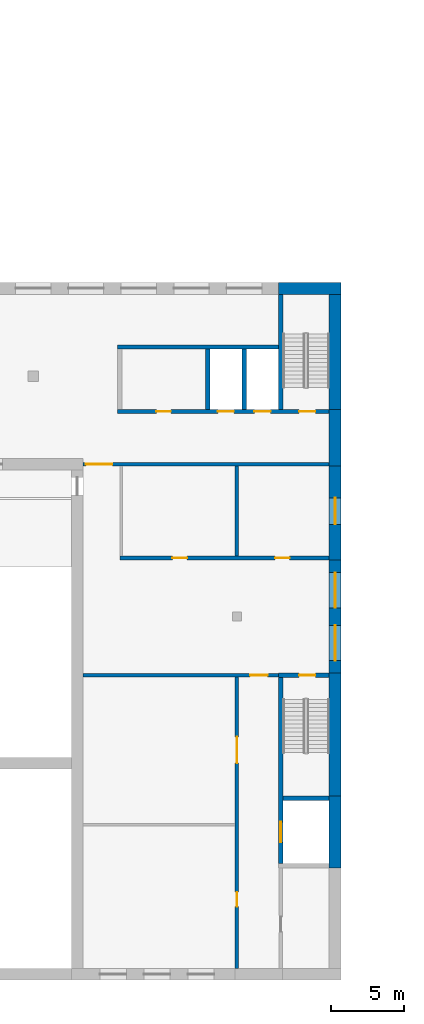
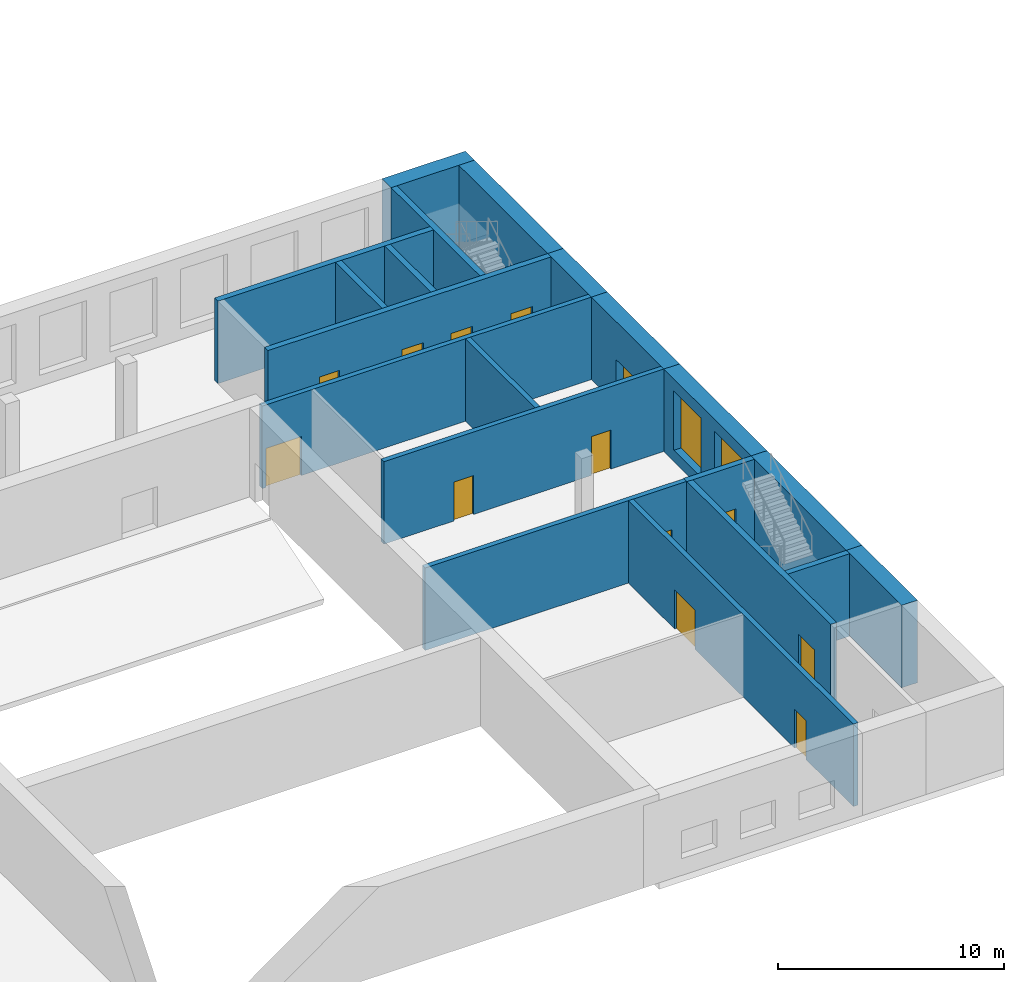
# One storey, part 5 of 24: 20 walls, 12 doors, 3 windows, 15 openings.
"""IFC4 building model written with IfcOpenShell, lengths in metres."""

from ifc_helpers import new_model, si_unit, direction, frame, frame_2d, origin, place, context, subcontext, project, spatial, rectangle, extrude, material, layer, layer_set, type_object, element, fill, save


model = new_model("IFC4")

# Units and contexts
model_context = context("Model", 3, precision=1e-05, world=origin(), true_north=direction((0.0, 1.0)))
body_context = subcontext(model_context, "Body", "Model", "MODEL_VIEW")
ifc_project = project(units=[si_unit("LENGTHUNIT", "METRE"), si_unit("AREAUNIT", "SQUARE_METRE"), si_unit("VOLUMEUNIT", "CUBIC_METRE"), si_unit("PLANEANGLEUNIT", "RADIAN"), si_unit("MASSUNIT", "GRAM", prefix="KILO")], contexts=[model_context])

# Site, building, storey
site_placement = place(None, origin())
site = spatial("IfcSite", under=ifc_project, at=site_placement, CompositionType="ELEMENT")
building_placement = place(site_placement, origin())
building = spatial("IfcBuilding", under=site, at=building_placement, Name="Kiln Ring Residences", CompositionType="ELEMENT")
storey_placement = place(building_placement, frame((0.0, 0.0, 11.300048828125)))
storey = spatial("IfcBuildingStorey", under=building, at=storey_placement, Name="L02", CompositionType="ELEMENT", Elevation=11.300048828125)

# Walls
ifc_material_1 = material(Name="Concrete C40/50", Category="concrete")
ifc_layer_1 = layer(ifc_material_1, 0.800048828125)
ifc_layer_set_1 = layer_set([ifc_layer_1], Name="Hall Exposed brick-faced reinforced concrete C40/50 wall 800")
wall_type_1 = type_object("IfcWallType", Name="Hall Exposed brick-faced reinforced concrete C40/50 wall 800", PredefinedType="SOLIDWALL", material=ifc_layer_set_1)
wall_1_placement = place(storey_placement, frame((25.75, -112.800048828125, 0.0), z_axis=(0.0, 0.0, 1.0), x_axis=(1.0, 0.0, 0.0)))
element("IfcWall", 1, at=wall_1_placement, inside=storey, type_object=wall_type_1, Name="Hall wall L02 28", PredefinedType="SOLIDWALL", context=body_context, shape_type="SweptSolid", body=[
    extrude(rectangle(XDim=4.25, YDim=0.800048828125, at=frame_2d((2.125, 0.0))), origin(), (0.0, 0.0, 1.0), 4.449951171875),
])
wall_2_placement = place(storey_placement, frame((29.60009765625, -147.4501953125, 0.0), z_axis=(0.0, 0.0, 1.0), x_axis=(0.0, -1.0, 0.0)))
element("IfcWall", 2, at=wall_2_placement, inside=storey, type_object=wall_type_1, Name="Hall wall L02 57", PredefinedType="SOLIDWALL", context=body_context, shape_type="SweptSolid", body=[
    extrude(rectangle(XDim=4.899658203125, YDim=0.800048828125, at=frame_2d((2.44970703125, 0.0))), origin(), (0.0, 0.0, 1.0), 4.449951171875),
])
wall_3_placement = place(storey_placement, frame((29.60009765625, -139.050048828125, 0.0), z_axis=(0.0, 0.0, 1.0), x_axis=(0.0, -1.0, 0.0)))
element("IfcWall", 3, at=wall_3_placement, inside=storey, type_object=wall_type_1, Name="Hall wall L02 58", PredefinedType="SOLIDWALL", context=body_context, shape_type="SweptSolid", body=[
    extrude(rectangle(XDim=8.699951171875, YDim=0.800048828125, at=frame_2d((4.35009765625, 0.0))), origin(), (0.0, 0.0, 1.0), 4.449951171875),
])

# Wall, openings, windows
wall_4_placement = place(storey_placement, frame((29.60009765625, -131.0751953125, 0.0), z_axis=(0.0, 0.0, 1.0), x_axis=(0.0, -1.0, 0.0)))
wall_4 = element("IfcWall", 4, at=wall_4_placement, inside=storey, type_object=wall_type_1, Name="Hall wall L02 59", PredefinedType="SOLIDWALL", context=body_context, shape_type="SweptSolid", body=[
    extrude(rectangle(XDim=8.274658203125, YDim=0.800048828125, at=frame_2d((4.13720703125, 0.0))), origin(), (0.0, 0.0, 1.0), 4.449951171875),
])
opening_1_placement = place(wall_4_placement, frame((4.724853515625, 0.0, 0.60009765625)))
opening_1 = element("IfcOpeningElement", 5, at=opening_1_placement, cuts=wall_4, Name="Opening WL02-17", PredefinedType="OPENING", context=body_context, shape_type="SweptSolid", body=[
    extrude(rectangle(XDim=2.39990234375, YDim=3.199951171875, at=frame_2d((1.199951171875, 1.60009765625))), frame((0.0, 0.409912109375, 0.0), z_axis=(0.0, -1.0, 0.0), x_axis=(1.0, 0.0, 0.0)), (0.0, 0.0, 1.0), 0.820068359375),
])
opening_2_placement = place(wall_4_placement, frame((1.125, 0.0, 0.60009765625)))
opening_2 = element("IfcOpeningElement", 6, at=opening_2_placement, cuts=wall_4, Name="Opening WL02-18", PredefinedType="OPENING", context=body_context, shape_type="SweptSolid", body=[
    extrude(rectangle(XDim=2.39990234375, YDim=3.199951171875, at=frame_2d((1.199951171875, 1.60009765625))), frame((0.0, 0.409912109375, 0.0), z_axis=(0.0, -1.0, 0.0), x_axis=(1.0, 0.0, 0.0)), (0.0, 0.0, 1.0), 0.820068359375),
])
ifc_material_2 = material(Name="Glazing in aluminium frame", Category="aluminium")
window_type_1 = type_object("IfcWindowType", Name="Hall foyer window 2400 x 3200", PartitioningType="SINGLE_PANEL", PredefinedType="WINDOW", material=ifc_material_2)
window_1_placement = place(opening_1_placement, origin())
window_1 = element("IfcWindow", 7, at=window_1_placement, inside=storey, type_object=window_type_1, Name="Hall window L02-17", OverallHeight=3.199951171875, OverallWidth=2.39990234375, PartitioningType="SINGLE_PANEL", PredefinedType="WINDOW", context=body_context, shape_type="SweptSolid", body=[
    extrude(rectangle(XDim=2.39990234375, YDim=3.199951171875, at=frame_2d((1.199951171875, 1.60009765625))), frame((0.0, 0.030029296875, 0.0), z_axis=(0.0, -1.0, 0.0), x_axis=(1.0, 0.0, 0.0)), (0.0, 0.0, 1.0), 0.06005859375),
])
fill(opening_1, window_1)
window_2_placement = place(opening_2_placement, origin())
window_2 = element("IfcWindow", 8, at=window_2_placement, inside=storey, type_object=window_type_1, Name="Hall window L02-18", OverallHeight=3.199951171875, OverallWidth=2.39990234375, PartitioningType="SINGLE_PANEL", PredefinedType="WINDOW", context=body_context, shape_type="SweptSolid", body=[
    extrude(rectangle(XDim=2.39990234375, YDim=3.199951171875, at=frame_2d((1.199951171875, 1.60009765625))), frame((0.0, 0.030029296875, 0.0), z_axis=(0.0, -1.0, 0.0), x_axis=(1.0, 0.0, 0.0)), (0.0, 0.0, 1.0), 0.06005859375),
])
fill(opening_2, window_2)

# Wall, opening, window
wall_5_placement = place(storey_placement, frame((29.60009765625, -124.675048828125, 0.0), z_axis=(0.0, 0.0, 1.0), x_axis=(0.0, -1.0, 0.0)))
wall_5 = element("IfcWall", 9, at=wall_5_placement, inside=storey, type_object=wall_type_1, Name="Hall wall L02 60", PredefinedType="SOLIDWALL", context=body_context, shape_type="SweptSolid", body=[
    extrude(rectangle(XDim=6.64990234375, YDim=0.800048828125, at=frame_2d((3.324951171875, 0.0))), origin(), (0.0, 0.0, 1.0), 4.449951171875),
])
opening_3_placement = place(wall_5_placement, frame((2.4248046875, 0.0, 0.89990234375)))
opening_3 = element("IfcOpeningElement", 10, at=opening_3_placement, cuts=wall_5, Name="Opening WL02-19", PredefinedType="OPENING", context=body_context, shape_type="SweptSolid", body=[
    extrude(rectangle(XDim=1.800048828125, YDim=1.5, at=frame_2d((0.89990234375, 0.75))), frame((0.0, 0.409912109375, 0.0), z_axis=(0.0, -1.0, 0.0), x_axis=(1.0, 0.0, 0.0)), (0.0, 0.0, 1.0), 0.820068359375),
])
ifc_material_3 = material(Name="Glazing in aluminium frame", Category="aluminium")
window_type_2 = type_object("IfcWindowType", Name="Hall room window 1800 x 1500", PartitioningType="DOUBLE_PANEL_VERTICAL", PredefinedType="WINDOW", material=ifc_material_3)
window_3_placement = place(opening_3_placement, origin())
window_3 = element("IfcWindow", 11, at=window_3_placement, inside=storey, type_object=window_type_2, Name="Hall window L02-19", OverallHeight=1.5, OverallWidth=1.800048828125, PartitioningType="SINGLE_PANEL", PredefinedType="WINDOW", context=body_context, shape_type="SweptSolid", body=[
    extrude(rectangle(XDim=1.800048828125, YDim=1.5, at=frame_2d((0.89990234375, 0.75))), frame((0.0, 0.030029296875, 0.0), z_axis=(0.0, -1.0, 0.0), x_axis=(1.0, 0.0, 0.0)), (0.0, 0.0, 1.0), 0.06005859375),
])
fill(opening_3, window_3)

# Walls
wall_6_placement = place(storey_placement, frame((29.60009765625, -121.050048828125, 0.0), z_axis=(0.0, 0.0, 1.0), x_axis=(0.0, -1.0, 0.0)))
element("IfcWall", 12, at=wall_6_placement, inside=storey, type_object=wall_type_1, Name="Hall wall L02 61", PredefinedType="SOLIDWALL", context=body_context, shape_type="SweptSolid", body=[
    extrude(rectangle(XDim=3.874755859375, YDim=0.800048828125, at=frame_2d((1.9375, 0.0))), origin(), (0.0, 0.0, 1.0), 4.449951171875),
])
wall_7_placement = place(storey_placement, frame((29.60009765625, -113.199951171875, 0.0), z_axis=(0.0, 0.0, 1.0), x_axis=(0.0, -1.0, 0.0)))
element("IfcWall", 13, at=wall_7_placement, inside=storey, type_object=wall_type_1, Name="Hall wall L02 62", PredefinedType="SOLIDWALL", context=body_context, shape_type="SweptSolid", body=[
    extrude(rectangle(XDim=8.14990234375, YDim=0.800048828125, at=frame_2d((4.074951171875, 0.0))), origin(), (0.0, 0.0, 1.0), 4.449951171875),
])
ifc_material_4 = material(Name="Concrete C40/50", Category="concrete")
ifc_layer_2 = layer(ifc_material_4, 0.300048828125)
ifc_layer_set_2 = layer_set([ifc_layer_2], Name="Hall Reinforced concrete C40/50 core wall 300")
wall_type_2 = type_object("IfcWallType", Name="Hall Reinforced concrete C40/50 core wall 300", PredefinedType="SOLIDWALL", material=ifc_layer_set_2)
wall_8_placement = place(storey_placement, frame((26.050048828125, -147.60009765625, 0.0), z_axis=(0.0, 0.0, 1.0), x_axis=(1.0, 0.0, 0.0)))
element("IfcWall", 14, at=wall_8_placement, inside=storey, type_object=wall_type_2, Name="Hall wall L02 11", PredefinedType="SOLIDWALL", context=body_context, shape_type="SweptSolid", body=[
    extrude(rectangle(XDim=3.14990234375, YDim=0.300048828125, at=frame_2d((1.574951171875, 0.0))), origin(), (0.0, 0.0, 1.0), 4.449951171875),
])

# Wall, opening, door
wall_9_placement = place(storey_placement, frame((25.75, -139.199951171875, 0.0), z_axis=(0.0, 0.0, 1.0), x_axis=(1.0, 0.0, 0.0)))
wall_9 = element("IfcWall", 15, at=wall_9_placement, inside=storey, type_object=wall_type_2, Name="Hall wall L02 16", PredefinedType="SOLIDWALL", context=body_context, shape_type="SweptSolid", body=[
    extrude(rectangle(XDim=3.449951171875, YDim=0.300048828125, at=frame_2d((1.72509765625, 0.0))), origin(), (0.0, 0.0, 1.0), 4.449951171875),
])
opening_4_placement = place(wall_9_placement, frame((1.39990234375, 0.0, 0.0)))
opening_4 = element("IfcOpeningElement", 16, at=opening_4_placement, cuts=wall_9, Name="Opening L02-09", PredefinedType="OPENING", context=body_context, shape_type="SweptSolid", body=[
    extrude(rectangle(XDim=1.10009765625, YDim=2.10009765625, at=frame_2d((0.550048828125, 1.050048828125))), frame((0.0, 0.159912109375, 0.0), z_axis=(0.0, -1.0, 0.0), x_axis=(1.0, 0.0, 0.0)), (0.0, 0.0, 1.0), 0.320068359375),
])
ifc_material_5 = material(Name="Steel door leaf", Category="steel")
door_type_1 = type_object("IfcDoorType", Name="Hall Stair door 1100 x 2100", OperationType="SINGLE_SWING_LEFT", PredefinedType="DOOR", material=ifc_material_5)
door_1_placement = place(opening_4_placement, origin())
door_1 = element("IfcDoor", 17, at=door_1_placement, inside=storey, type_object=door_type_1, Name="Hall door L02-09", OperationType="SINGLE_SWING_LEFT", OverallHeight=2.10009765625, OverallWidth=1.10009765625, PredefinedType="DOOR", context=body_context, shape_type="SweptSolid", body=[
    extrude(rectangle(XDim=1.10009765625, YDim=2.10009765625, at=frame_2d((0.550048828125, 1.050048828125))), frame((0.0, 0.02490234375, 0.0), z_axis=(0.0, -1.0, 0.0), x_axis=(1.0, 0.0, 0.0)), (0.0, 0.0, 1.0), 0.050048828125),
])
fill(opening_4, door_1)

# Wall, openings, doors
wall_10_placement = place(storey_placement, frame((14.75, -121.199951171875, 0.0), z_axis=(0.0, 0.0, 1.0), x_axis=(1.0, 0.0, 0.0)))
wall_10 = element("IfcWall", 18, at=wall_10_placement, inside=storey, type_object=wall_type_2, Name="Hall wall L02 23", PredefinedType="SOLIDWALL", context=body_context, shape_type="SweptSolid", body=[
    extrude(rectangle(XDim=14.449951171875, YDim=0.300048828125, at=frame_2d((7.22509765625, 0.0))), origin(), (0.0, 0.0, 1.0), 4.449951171875),
])
opening_5_placement = place(wall_10_placement, frame((6.85009765625, 0.0, 0.0)))
opening_5 = element("IfcOpeningElement", 19, at=opening_5_placement, cuts=wall_10, Name="Opening L02-03", PredefinedType="OPENING", context=body_context, shape_type="SweptSolid", body=[
    extrude(rectangle(XDim=1.10009765625, YDim=2.10009765625, at=frame_2d((0.550048828125, 1.050048828125))), frame((0.0, 0.159912109375, 0.0), z_axis=(0.0, -1.0, 0.0), x_axis=(1.0, 0.0, 0.0)), (0.0, 0.0, 1.0), 0.320068359375),
])
opening_6_placement = place(wall_10_placement, frame((9.35009765625, 0.0, 0.0)))
opening_6 = element("IfcOpeningElement", 20, at=opening_6_placement, cuts=wall_10, Name="Opening L02-04", PredefinedType="OPENING", context=body_context, shape_type="SweptSolid", body=[
    extrude(rectangle(XDim=1.10009765625, YDim=2.10009765625, at=frame_2d((0.550048828125, 1.050048828125))), frame((0.0, 0.159912109375, 0.0), z_axis=(0.0, -1.0, 0.0), x_axis=(1.0, 0.0, 0.0)), (0.0, 0.0, 1.0), 0.320068359375),
])
opening_7_placement = place(wall_10_placement, frame((12.39990234375, 0.0, 0.0)))
opening_7 = element("IfcOpeningElement", 21, at=opening_7_placement, cuts=wall_10, Name="Opening L02-07", PredefinedType="OPENING", context=body_context, shape_type="SweptSolid", body=[
    extrude(rectangle(XDim=1.10009765625, YDim=2.10009765625, at=frame_2d((0.550048828125, 1.050048828125))), frame((0.0, 0.159912109375, 0.0), z_axis=(0.0, -1.0, 0.0), x_axis=(1.0, 0.0, 0.0)), (0.0, 0.0, 1.0), 0.320068359375),
])
opening_8_placement = place(wall_10_placement, frame((2.64990234375, 0.0, 0.0)))
opening_8 = element("IfcOpeningElement", 22, at=opening_8_placement, cuts=wall_10, Name="Opening L02-11", PredefinedType="OPENING", context=body_context, shape_type="SweptSolid", body=[
    extrude(rectangle(XDim=1.0, YDim=2.10009765625, at=frame_2d((0.5, 1.050048828125))), frame((0.0, 0.159912109375, 0.0), z_axis=(0.0, -1.0, 0.0), x_axis=(1.0, 0.0, 0.0)), (0.0, 0.0, 1.0), 0.320068359375),
])
ifc_material_6 = material(Name="Steel door leaf", Category="steel")
door_type_2 = type_object("IfcDoorType", Name="Hall Lift landing door 1100 x 2100", OperationType="DOUBLE_DOOR_SLIDING", PredefinedType="DOOR", material=ifc_material_6)
door_2_placement = place(opening_5_placement, origin())
door_2 = element("IfcDoor", 23, at=door_2_placement, inside=storey, type_object=door_type_2, Name="Hall door L02-03", OperationType="DOUBLE_DOOR_SLIDING", OverallHeight=2.10009765625, OverallWidth=1.10009765625, PredefinedType="DOOR", context=body_context, shape_type="SweptSolid", body=[
    extrude(rectangle(XDim=1.10009765625, YDim=2.10009765625, at=frame_2d((0.550048828125, 1.050048828125))), frame((0.0, 0.02490234375, 0.0), z_axis=(0.0, -1.0, 0.0), x_axis=(1.0, 0.0, 0.0)), (0.0, 0.0, 1.0), 0.050048828125),
])
fill(opening_5, door_2)
door_3_placement = place(opening_6_placement, origin())
door_3 = element("IfcDoor", 24, at=door_3_placement, inside=storey, type_object=door_type_2, Name="Hall door L02-04", OperationType="DOUBLE_DOOR_SLIDING", OverallHeight=2.10009765625, OverallWidth=1.10009765625, PredefinedType="DOOR", context=body_context, shape_type="SweptSolid", body=[
    extrude(rectangle(XDim=1.10009765625, YDim=2.10009765625, at=frame_2d((0.550048828125, 1.050048828125))), frame((0.0, 0.02490234375, 0.0), z_axis=(0.0, -1.0, 0.0), x_axis=(1.0, 0.0, 0.0)), (0.0, 0.0, 1.0), 0.050048828125),
])
fill(opening_6, door_3)
ifc_material_7 = material(Name="Steel door leaf", Category="steel")
door_type_3 = type_object("IfcDoorType", Name="Hall Single door 1000 x 2100", OperationType="SINGLE_SWING_LEFT", PredefinedType="DOOR", material=ifc_material_7)
door_4_placement = place(opening_8_placement, origin())
door_4 = element("IfcDoor", 25, at=door_4_placement, inside=storey, type_object=door_type_3, Name="Hall door L02-11", OperationType="SINGLE_SWING_LEFT", OverallHeight=2.10009765625, OverallWidth=1.0, PredefinedType="DOOR", context=body_context, shape_type="SweptSolid", body=[
    extrude(rectangle(XDim=1.0, YDim=2.10009765625, at=frame_2d((0.5, 1.050048828125))), frame((0.0, 0.02490234375, 0.0), z_axis=(0.0, -1.0, 0.0), x_axis=(1.0, 0.0, 0.0)), (0.0, 0.0, 1.0), 0.050048828125),
])
fill(opening_8, door_4)
door_5_placement = place(opening_7_placement, origin())
door_5 = element("IfcDoor", 26, at=door_5_placement, inside=storey, type_object=door_type_1, Name="Hall door L02-07", OperationType="SINGLE_SWING_LEFT", OverallHeight=2.10009765625, OverallWidth=1.10009765625, PredefinedType="DOOR", context=body_context, shape_type="SweptSolid", body=[
    extrude(rectangle(XDim=1.10009765625, YDim=2.10009765625, at=frame_2d((0.550048828125, 1.050048828125))), frame((0.0, 0.02490234375, 0.0), z_axis=(0.0, -1.0, 0.0), x_axis=(1.0, 0.0, 0.0)), (0.0, 0.0, 1.0), 0.050048828125),
])
fill(opening_7, door_5)

# Walls
wall_11_placement = place(storey_placement, frame((14.75, -116.800048828125, 0.0), z_axis=(0.0, 0.0, 1.0), x_axis=(1.0, 0.0, 0.0)))
element("IfcWall", 27, at=wall_11_placement, inside=storey, type_object=wall_type_2, Name="Hall wall L02 25", PredefinedType="SOLIDWALL", context=body_context, shape_type="SweptSolid", body=[
    extrude(rectangle(XDim=11.0, YDim=0.300048828125, at=frame_2d((5.5, 0.0))), origin(), (0.0, 0.0, 1.0), 4.449951171875),
])
for number, where, z_axis, x_axis, name in (
    (28, (20.89990234375, -121.050048828125, 0.0), (0.0, 0.0, 1.0), (0.0, 1.0, 0.0), "Hall wall L02 49"),
    (29, (23.39990234375, -121.050048828125, 0.0), (0.0, 0.0, 1.0), (0.0, 1.0, 0.0), "Hall wall L02 52"),
):
    element("IfcWall", number, at=place(storey_placement, frame(where, z_axis=z_axis, x_axis=x_axis)), inside=storey, type_object=wall_type_2, Name=name, PredefinedType="SOLIDWALL", context=body_context, shape_type="SweptSolid", body=[
        extrude(rectangle(XDim=4.10009765625, YDim=0.300048828125, at=frame_2d((2.050048828125, 0.0))), origin(), (0.0, 0.0, 1.0), 4.449951171875),
    ])

# Wall, opening, door
wall_12_placement = place(storey_placement, frame((25.89990234375, -152.050048828125, 0.0), z_axis=(0.0, 0.0, 1.0), x_axis=(0.0, 1.0, 0.0)))
wall_12 = element("IfcWall", 30, at=wall_12_placement, inside=storey, type_object=wall_type_2, Name="Hall wall L02 54", PredefinedType="SOLIDWALL", context=body_context, shape_type="SweptSolid", body=[
    extrude(rectangle(XDim=12.824951171875, YDim=0.300048828125, at=frame_2d((6.41259765625, 0.0))), origin(), (0.0, 0.0, 1.0), 4.449951171875),
])
opening_9_placement = place(wall_12_placement, frame((1.449951171875, 0.0, 0.0)))
opening_9 = element("IfcOpeningElement", 31, at=opening_9_placement, cuts=wall_12, Name="Opening L02-05", PredefinedType="OPENING", context=body_context, shape_type="SweptSolid", body=[
    extrude(rectangle(XDim=1.39990234375, YDim=2.199951171875, at=frame_2d((0.699951171875, 1.10009765625))), frame((0.0, 0.159912109375, 0.0), z_axis=(0.0, -1.0, 0.0), x_axis=(1.0, 0.0, 0.0)), (0.0, 0.0, 1.0), 0.320068359375),
])
ifc_material_8 = material(Name="Steel door leaf", Category="steel")
door_type_4 = type_object("IfcDoorType", Name="Hall Goods lift landing door 1400 x 2200", OperationType="DOUBLE_DOOR_SLIDING", PredefinedType="DOOR", material=ifc_material_8)
door_6_placement = place(opening_9_placement, origin())
door_6 = element("IfcDoor", 32, at=door_6_placement, inside=storey, type_object=door_type_4, Name="Hall door L02-05", OperationType="DOUBLE_DOOR_SLIDING", OverallHeight=2.199951171875, OverallWidth=1.39990234375, PredefinedType="DOOR", context=body_context, shape_type="SweptSolid", body=[
    extrude(rectangle(XDim=1.39990234375, YDim=2.199951171875, at=frame_2d((0.699951171875, 1.10009765625))), frame((0.0, 0.02490234375, 0.0), z_axis=(0.0, -1.0, 0.0), x_axis=(1.0, 0.0, 0.0)), (0.0, 0.0, 1.0), 0.050048828125),
])
fill(opening_9, door_6)

# Wall
wall_13_placement = place(storey_placement, frame((25.89990234375, -121.050048828125, 0.0), z_axis=(0.0, 0.0, 1.0), x_axis=(0.0, 1.0, 0.0)))
element("IfcWall", 33, at=wall_13_placement, inside=storey, type_object=wall_type_2, Name="Hall wall L02 55", PredefinedType="SOLIDWALL", context=body_context, shape_type="SweptSolid", body=[
    extrude(rectangle(XDim=7.85009765625, YDim=0.300048828125, at=frame_2d((3.925048828125, 0.0))), origin(), (0.0, 0.0, 1.0), 4.449951171875),
])

# Wall, opening, door
ifc_material_9 = material(Name="Concrete C40/50", Category="concrete")
ifc_layer_3 = layer(ifc_material_9, 0.25)
ifc_layer_set_3 = layer_set([ifc_layer_3], Name="Hall Reinforced concrete C40/50 wall 250")
wall_type_3 = type_object("IfcWallType", Name="Hall Reinforced concrete C40/50 wall 250", PredefinedType="SOLIDWALL", material=ifc_layer_set_3)
wall_14_placement = place(storey_placement, frame((12.39990234375, -139.199951171875, 0.0), z_axis=(0.0, 0.0, 1.0), x_axis=(1.0, 0.0, 0.0)))
wall_14 = element("IfcWall", 34, at=wall_14_placement, inside=storey, type_object=wall_type_3, Name="Hall wall L02 15", PredefinedType="SOLIDWALL", context=body_context, shape_type="SweptSolid", body=[
    extrude(rectangle(XDim=13.35009765625, YDim=0.25, at=frame_2d((6.675048828125, 0.0))), origin(), (0.0, 0.0, 1.0), 4.449951171875),
])
opening_10_placement = place(wall_14_placement, frame((11.39990234375, 0.0, 0.0)))
opening_10 = element("IfcOpeningElement", 35, at=opening_10_placement, cuts=wall_14, Name="Opening L02-22", PredefinedType="OPENING", context=body_context, shape_type="SweptSolid", body=[
    extrude(rectangle(XDim=1.199951171875, YDim=2.10009765625, at=frame_2d((0.60009765625, 1.050048828125))), frame((0.0, 0.135009765625, 0.0), z_axis=(0.0, -1.0, 0.0), x_axis=(1.0, 0.0, 0.0)), (0.0, 0.0, 1.0), 0.27001953125),
])
ifc_material_10 = material(Name="Steel door leaf", Category="steel")
door_type_5 = type_object("IfcDoorType", Name="Hall Single door 1200 x 2100", OperationType="SINGLE_SWING_LEFT", PredefinedType="DOOR", material=ifc_material_10)
door_7_placement = place(opening_10_placement, origin())
door_7 = element("IfcDoor", 36, at=door_7_placement, inside=storey, type_object=door_type_5, Name="Hall door L02-22", OperationType="SINGLE_SWING_RIGHT", OverallHeight=2.10009765625, OverallWidth=1.199951171875, PredefinedType="DOOR", context=body_context, shape_type="SweptSolid", body=[
    extrude(rectangle(XDim=1.199951171875, YDim=2.10009765625, at=frame_2d((0.60009765625, 1.050048828125))), frame((0.0, 0.02490234375, 0.0), z_axis=(0.0, -1.0, 0.0), x_axis=(1.0, 0.0, 0.0)), (0.0, 0.0, 1.0), 0.050048828125),
])
fill(opening_10, door_7)

# Wall, openings, doors
wall_15_placement = place(storey_placement, frame((14.925048828125, -131.199951171875, 0.0), z_axis=(0.0, 0.0, 1.0), x_axis=(1.0, 0.0, 0.0)))
wall_15 = element("IfcWall", 37, at=wall_15_placement, inside=storey, type_object=wall_type_3, Name="Hall wall L02 18", PredefinedType="SOLIDWALL", context=body_context, shape_type="SweptSolid", body=[
    extrude(rectangle(XDim=14.27490234375, YDim=0.25, at=frame_2d((7.137451171875, 0.0))), origin(), (0.0, 0.0, 1.0), 4.449951171875),
])
opening_11_placement = place(wall_15_placement, frame((3.574951171875, 0.0, 0.0)))
opening_11 = element("IfcOpeningElement", 38, at=opening_11_placement, cuts=wall_15, Name="Opening L02-28", PredefinedType="OPENING", context=body_context, shape_type="SweptSolid", body=[
    extrude(rectangle(XDim=1.0, YDim=2.10009765625, at=frame_2d((0.5, 1.050048828125))), frame((0.0, 0.135009765625, 0.0), z_axis=(0.0, -1.0, 0.0), x_axis=(1.0, 0.0, 0.0)), (0.0, 0.0, 1.0), 0.27001953125),
])
opening_12_placement = place(wall_15_placement, frame((10.574951171875, 0.0, 0.0)))
opening_12 = element("IfcOpeningElement", 39, at=opening_12_placement, cuts=wall_15, Name="Opening L02-29", PredefinedType="OPENING", context=body_context, shape_type="SweptSolid", body=[
    extrude(rectangle(XDim=1.0, YDim=2.10009765625, at=frame_2d((0.5, 1.050048828125))), frame((0.0, 0.135009765625, 0.0), z_axis=(0.0, -1.0, 0.0), x_axis=(1.0, 0.0, 0.0)), (0.0, 0.0, 1.0), 0.27001953125),
])
door_8_placement = place(opening_11_placement, origin())
door_8 = element("IfcDoor", 40, at=door_8_placement, inside=storey, type_object=door_type_3, Name="Hall door L02-28", OperationType="SINGLE_SWING_RIGHT", OverallHeight=2.10009765625, OverallWidth=1.0, PredefinedType="DOOR", context=body_context, shape_type="SweptSolid", body=[
    extrude(rectangle(XDim=1.0, YDim=2.10009765625, at=frame_2d((0.5, 1.050048828125))), frame((0.0, 0.02490234375, 0.0), z_axis=(0.0, -1.0, 0.0), x_axis=(1.0, 0.0, 0.0)), (0.0, 0.0, 1.0), 0.050048828125),
])
fill(opening_11, door_8)
door_9_placement = place(opening_12_placement, origin())
door_9 = element("IfcDoor", 41, at=door_9_placement, inside=storey, type_object=door_type_3, Name="Hall door L02-29", OperationType="SINGLE_SWING_LEFT", OverallHeight=2.10009765625, OverallWidth=1.0, PredefinedType="DOOR", context=body_context, shape_type="SweptSolid", body=[
    extrude(rectangle(XDim=1.0, YDim=2.10009765625, at=frame_2d((0.5, 1.050048828125))), frame((0.0, 0.02490234375, 0.0), z_axis=(0.0, -1.0, 0.0), x_axis=(1.0, 0.0, 0.0)), (0.0, 0.0, 1.0), 0.050048828125),
])
fill(opening_12, door_9)

# Wall, opening, door
wall_16_placement = place(storey_placement, frame((12.39990234375, -124.800048828125, 0.0), z_axis=(0.0, 0.0, 1.0), x_axis=(1.0, 0.0, 0.0)))
wall_16 = element("IfcWall", 42, at=wall_16_placement, inside=storey, type_object=wall_type_3, Name="Hall wall L02 21", PredefinedType="SOLIDWALL", context=body_context, shape_type="SweptSolid", body=[
    extrude(rectangle(XDim=16.800048828125, YDim=0.25, at=frame_2d((8.39990234375, 0.0))), origin(), (0.0, 0.0, 1.0), 4.449951171875),
])
opening_13_placement = place(wall_16_placement, frame((0.199951171875, 0.0, 0.0)))
opening_13 = element("IfcOpeningElement", 43, at=opening_13_placement, cuts=wall_16, Name="Opening L02-17", PredefinedType="OPENING", context=body_context, shape_type="SweptSolid", body=[
    extrude(rectangle(XDim=1.800048828125, YDim=2.10009765625, at=frame_2d((0.89990234375, 1.050048828125))), frame((0.0, 0.135009765625, 0.0), z_axis=(0.0, -1.0, 0.0), x_axis=(1.0, 0.0, 0.0)), (0.0, 0.0, 1.0), 0.27001953125),
])
ifc_material_11 = material(Name="Steel door leaf", Category="steel")
door_type_6 = type_object("IfcDoorType", Name="Hall Double door 1800 x 2100", OperationType="DOUBLE_DOOR_SINGLE_SWING", PredefinedType="DOOR", material=ifc_material_11)
door_10_placement = place(opening_13_placement, origin())
door_10 = element("IfcDoor", 44, at=door_10_placement, inside=storey, type_object=door_type_6, Name="Hall door L02-17", OperationType="DOUBLE_DOOR_SINGLE_SWING", OverallHeight=2.10009765625, OverallWidth=1.800048828125, PredefinedType="DOOR", context=body_context, shape_type="SweptSolid", body=[
    extrude(rectangle(XDim=1.800048828125, YDim=2.10009765625, at=frame_2d((0.89990234375, 1.050048828125))), frame((0.0, 0.02490234375, 0.0), z_axis=(0.0, -1.0, 0.0), x_axis=(1.0, 0.0, 0.0)), (0.0, 0.0, 1.0), 0.050048828125),
])
fill(opening_13, door_10)

# Wall, openings, doors
wall_17_placement = place(storey_placement, frame((22.89990234375, -159.199951171875, 0.0), z_axis=(0.0, 0.0, 1.0), x_axis=(0.0, 1.0, 0.0)))
wall_17 = element("IfcWall", 45, at=wall_17_placement, inside=storey, type_object=wall_type_3, Name="Hall wall L02 50", PredefinedType="SOLIDWALL", context=body_context, shape_type="SweptSolid", body=[
    extrude(rectangle(XDim=19.875, YDim=0.25, at=frame_2d((9.9375, 0.0))), origin(), (0.0, 0.0, 1.0), 4.449951171875),
])
opening_14_placement = place(wall_17_placement, frame((14.0, 0.0, 0.0)))
opening_14 = element("IfcOpeningElement", 46, at=opening_14_placement, cuts=wall_17, Name="Opening L02-25", PredefinedType="OPENING", context=body_context, shape_type="SweptSolid", body=[
    extrude(rectangle(XDim=1.800048828125, YDim=2.10009765625, at=frame_2d((0.89990234375, 1.050048828125))), frame((0.0, 0.135009765625, 0.0), z_axis=(0.0, -1.0, 0.0), x_axis=(1.0, 0.0, 0.0)), (0.0, 0.0, 1.0), 0.27001953125),
])
opening_15_placement = place(wall_17_placement, frame((4.199951171875, 0.0, 0.0)))
opening_15 = element("IfcOpeningElement", 47, at=opening_15_placement, cuts=wall_17, Name="Opening L02-26", PredefinedType="OPENING", context=body_context, shape_type="SweptSolid", body=[
    extrude(rectangle(XDim=1.0, YDim=2.10009765625, at=frame_2d((0.5, 1.050048828125))), frame((0.0, 0.135009765625, 0.0), z_axis=(0.0, -1.0, 0.0), x_axis=(1.0, 0.0, 0.0)), (0.0, 0.0, 1.0), 0.27001953125),
])
door_11_placement = place(opening_14_placement, origin())
door_11 = element("IfcDoor", 48, at=door_11_placement, inside=storey, type_object=door_type_6, Name="Hall door L02-25", OperationType="DOUBLE_DOOR_SINGLE_SWING", OverallHeight=2.10009765625, OverallWidth=1.800048828125, PredefinedType="DOOR", context=body_context, shape_type="SweptSolid", body=[
    extrude(rectangle(XDim=1.800048828125, YDim=2.10009765625, at=frame_2d((0.89990234375, 1.050048828125))), frame((0.0, 0.02490234375, 0.0), z_axis=(0.0, -1.0, 0.0), x_axis=(1.0, 0.0, 0.0)), (0.0, 0.0, 1.0), 0.050048828125),
])
fill(opening_14, door_11)
door_12_placement = place(opening_15_placement, origin())
door_12 = element("IfcDoor", 49, at=door_12_placement, inside=storey, type_object=door_type_3, Name="Hall door L02-26", OperationType="SINGLE_SWING_RIGHT", OverallHeight=2.10009765625, OverallWidth=1.0, PredefinedType="DOOR", context=body_context, shape_type="SweptSolid", body=[
    extrude(rectangle(XDim=1.0, YDim=2.10009765625, at=frame_2d((0.5, 1.050048828125))), frame((0.0, 0.02490234375, 0.0), z_axis=(0.0, -1.0, 0.0), x_axis=(1.0, 0.0, 0.0)), (0.0, 0.0, 1.0), 0.050048828125),
])
fill(opening_15, door_12)

# Wall
wall_18_placement = place(storey_placement, frame((22.89990234375, -131.074951171875, 0.0), z_axis=(0.0, 0.0, 1.0), x_axis=(0.0, 1.0, 0.0)))
element("IfcWall", 50, at=wall_18_placement, inside=storey, type_object=wall_type_3, Name="Hall wall L02 51", PredefinedType="SOLIDWALL", context=body_context, shape_type="SweptSolid", body=[
    extrude(rectangle(XDim=6.14990234375, YDim=0.25, at=frame_2d((3.074951171875, 0.0))), origin(), (0.0, 0.0, 1.0), 4.449951171875),
])

save(model, "model.ifc")
